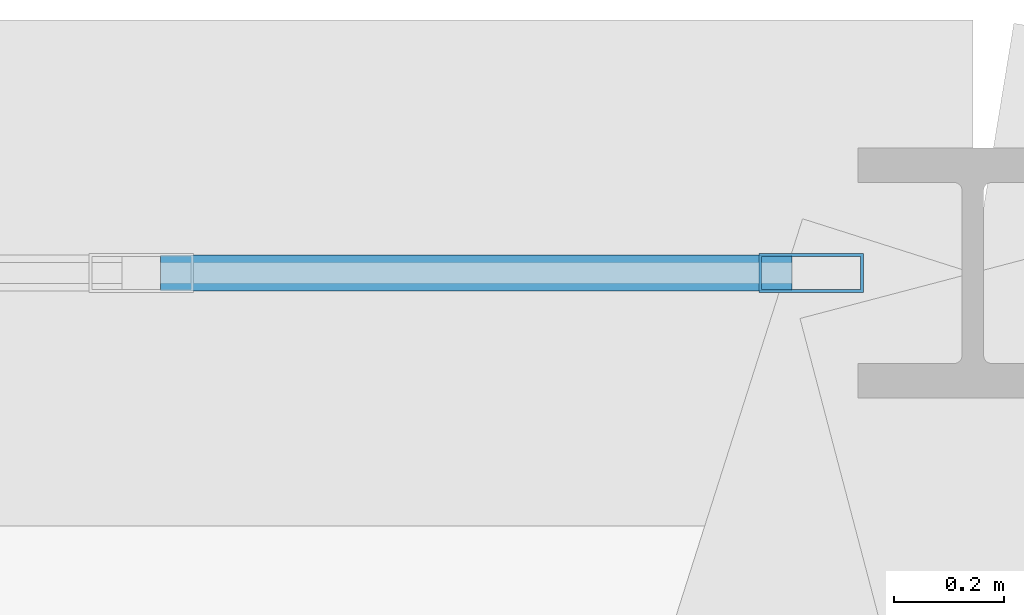
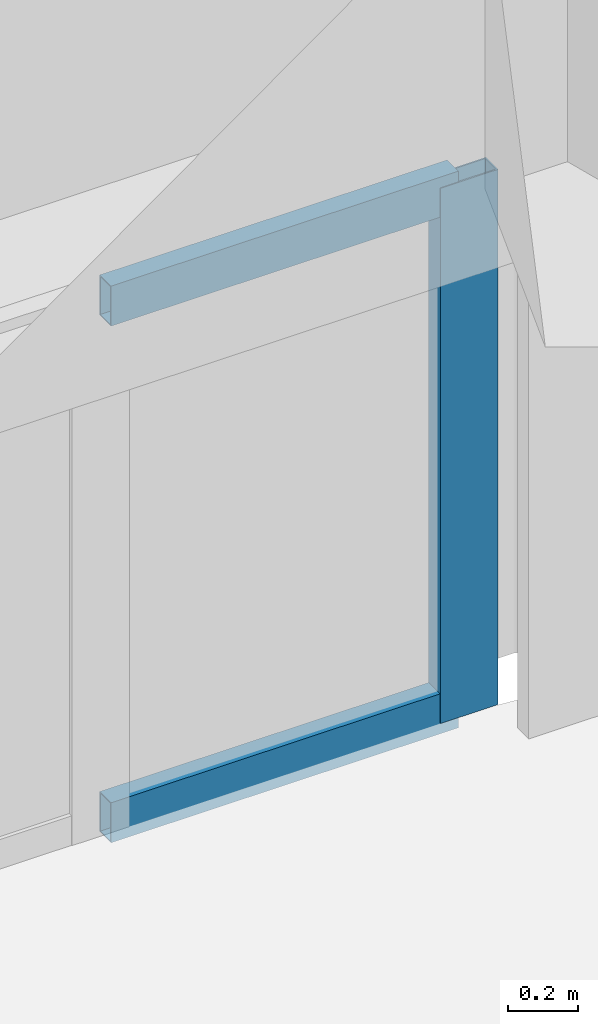
# One storey, part 10 of 16: 3 members, 1 element without a shape of its own.
"""IFC4 building model written with IfcOpenShell, lengths in metres."""

from ifc_helpers import new_model, si_unit, derived_unit, direction, frame, origin, origin_2d, place, context, subcontext, project, spatial, hollow_rectangle, extrude, source, transform, mapped, material, layer, layer_set, material_profile, profile_set, type_object, element, aggregate, save


model = new_model("IFC4")

# Units and contexts
model_context = context("Model", 3, precision=1e-05, world=origin(), true_north=direction((0.0, 1.0)))
body_context = subcontext(model_context, "Body", "Model", "MODEL_VIEW")
ifc_project = project(units=[si_unit("LENGTHUNIT", "METRE"), si_unit("AREAUNIT", "SQUARE_METRE"), si_unit("VOLUMEUNIT", "CUBIC_METRE"), si_unit("PLANEANGLEUNIT", "RADIAN"), si_unit("MASSUNIT", "GRAM", prefix="KILO"), derived_unit("THERMALTRANSMITTANCEUNIT", [(si_unit("POWERUNIT", "WATT"), 1), (si_unit("LENGTHUNIT", "METRE"), -2), (si_unit("THERMODYNAMICTEMPERATUREUNIT", "KELVIN"), -1)])], contexts=[model_context])

# Site, building, storey
site_placement = place(None, origin())
site = spatial("IfcSite", under=ifc_project, at=site_placement, CompositionType="ELEMENT")
building_placement = place(site_placement, origin())
building = spatial("IfcBuilding", under=site, at=building_placement, Name="Korsvarv Bourse and Concert Hall", CompositionType="ELEMENT")
storey_placement = place(building_placement, frame((0.0, 0.0, 106.199951171875)))
storey = spatial("IfcBuildingStorey", under=building, at=storey_placement, Name="L26", CompositionType="ELEMENT", Elevation=106.199951171875)

# Curtain wall, members
ifc_material_1 = material(Name="Anodised aluminium and triple low-E glazing", Category="glass")
ifc_layer = layer(ifc_material_1, 0.2099609375)
ifc_layer_set = layer_set([ifc_layer], Name="Anodised aluminium and triple low-E glazing")
curtain_wall_type = type_object("IfcCurtainWallType", Name="CW-SYS-2", PredefinedType="NOTDEFINED", material=ifc_layer_set)
curtain_wall_placement = place(storey_placement, origin())
curtain_wall = element("IfcCurtainWall", 1, at=curtain_wall_placement, inside=storey, type_object=curtain_wall_type, Name="L26 CW2 curtain wall CW-L26-F03", PredefinedType="NOTDEFINED")
ifc_material_2 = material(Name="Extruded aluminium EN AW-6063 T66", Category="aluminium")
ifc_material_profile_1 = material_profile(ifc_material_2, hollow_rectangle(XDim=0.070068359375, YDim=0.18994140625, WallThickness=0.0048828125, at=origin_2d()), Name="ALU-M 70x190")
ifc_profile_set_1 = profile_set([ifc_material_profile_1], Name="Extruded aluminium EN AW-6063 T66")
member_type_1 = type_object("IfcMemberType", Name="CWM-190", PredefinedType="MULLION", material=ifc_profile_set_1)
shared_shape_1 = source(origin(), body_context, "Body", "SweptSolid", [
    extrude(hollow_rectangle(XDim=0.070068359375, YDim=0.18994140625, WallThickness=0.0048828125, at=origin_2d()), origin(), (0.0, 0.0, 1.0), 1.8701171875),
])
member_1_placement = place(storey_placement, frame((42.85546875, 54.8515625, 0.0), z_axis=(0.0, 0.0, 1.0), x_axis=(0.0, -1.0, 0.0)))
member_1 = element("IfcMember", 2, at=member_1_placement, type_object=member_type_1, Name="CW2 mullion 1", PredefinedType="MULLION", context=body_context, shape_type="MappedRepresentation", body=[
    mapped(shared_shape_1, transform((0.0, 0.0, 0.0), scale=1.0)),
])
ifc_material_profile_2 = material_profile(ifc_material_2, hollow_rectangle(XDim=0.06494140625, YDim=0.139892578125, WallThickness=0.00390625, at=origin_2d()), Name="ALU-T 65x140")
ifc_profile_set_2 = profile_set([ifc_material_profile_2], Name="Extruded aluminium EN AW-6063 T66")
member_type_2 = type_object("IfcMemberType", Name="CWT-140", PredefinedType="USERDEFINED", material=ifc_profile_set_2)
shared_shape_2 = source(origin(), body_context, "Body", "SweptSolid", [
    extrude(hollow_rectangle(XDim=0.06494140625, YDim=0.139892578125, WallThickness=0.00390625, at=origin_2d()), origin(), (0.0, 0.0, 1.0), 1.147705078125),
])
member_2_placement = place(storey_placement, frame((42.8203125, 54.8515625, 0.032470703125), z_axis=(-1.0, 0.0, 0.0), x_axis=(0.0, -1.0, 0.0)))
member_2 = element("IfcMember", 3, at=member_2_placement, type_object=member_type_2, Name="CW2 transom 1.1", ObjectType="TRANSOM", PredefinedType="USERDEFINED", context=body_context, shape_type="MappedRepresentation", body=[
    mapped(shared_shape_2, transform((0.0, 0.0, 0.0), scale=1.0)),
])
member_3_placement = place(storey_placement, frame((42.8203125, 54.8515625, 1.837646484375), z_axis=(-1.0, 0.0, 0.0), x_axis=(0.0, -1.0, 0.0)))
member_3 = element("IfcMember", 4, at=member_3_placement, type_object=member_type_2, Name="CW2 transom 1.2", ObjectType="TRANSOM", PredefinedType="USERDEFINED", context=body_context, shape_type="MappedRepresentation", body=[
    mapped(shared_shape_2, transform((0.0, 0.0, 0.0), scale=1.0)),
])
aggregate(curtain_wall, [member_1, member_2, member_3])

save(model, "model.ifc")
